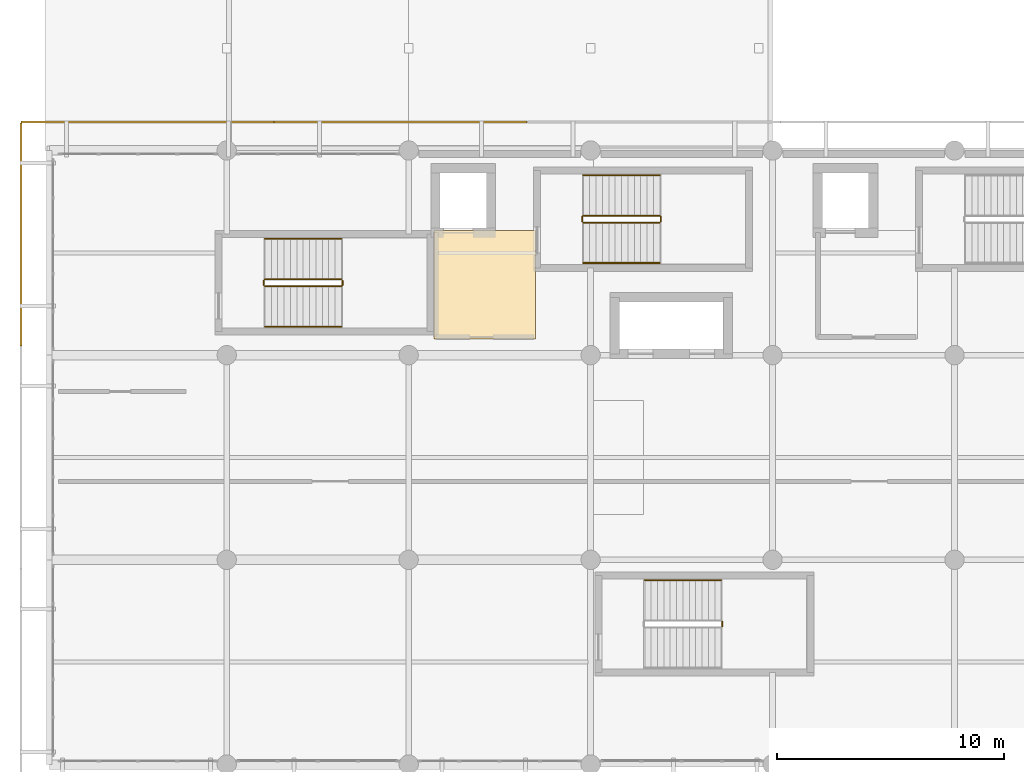
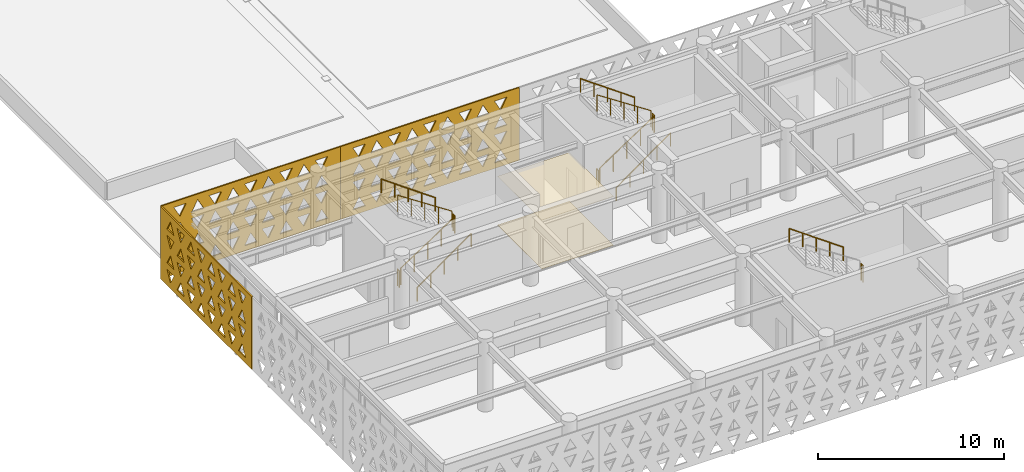
# One storey, part 44 of 54: 14 railings, 5 coverings.
"""IFC4 building model written with IfcOpenShell, lengths in metres."""

from ifc_helpers import new_model, si_unit, direction, frame, origin, origin_2d, place, context, subcontext, project, spatial, polyline, circle, outline, extrude, material, layer, layer_set, type_object, element, save


model = new_model("IFC4")

# Units and contexts
model_context = context("Model", 3, precision=1e-05, world=origin(), true_north=direction((0.0, 1.0)))
body_context = subcontext(model_context, "Body", "Model", "MODEL_VIEW")
ifc_project = project(units=[si_unit("LENGTHUNIT", "METRE"), si_unit("AREAUNIT", "SQUARE_METRE"), si_unit("VOLUMEUNIT", "CUBIC_METRE"), si_unit("PLANEANGLEUNIT", "RADIAN"), si_unit("MASSUNIT", "GRAM", prefix="KILO")], contexts=[model_context])

# Site, building, storey
site_placement = place(None, origin())
site = spatial("IfcSite", under=ifc_project, at=site_placement, CompositionType="ELEMENT")
building_placement = place(site_placement, origin())
building = spatial("IfcBuilding", under=site, at=building_placement, Name="Tlacozan Convention Centre", CompositionType="ELEMENT")
storey_placement = place(building_placement, frame((0.0, 0.0, 11.39990234375)))
storey = spatial("IfcBuildingStorey", under=building, at=storey_placement, Name="L02", CompositionType="ELEMENT", Elevation=11.39990234375)

# Coverings
ifc_material_1 = material(Name="Perforated Acoustic Mineral Fibre Ceiling")
ifc_layer_1 = layer(ifc_material_1, 0.02490234375)
ifc_layer_set_1 = layer_set([ifc_layer_1], Name="Perforated Acoustic Mineral Fibre Ceiling")
covering_type_1 = type_object("IfcCoveringType", Name="Acoustic Mineral Fibre Ceiling 25", PredefinedType="CEILING", material=ifc_layer_set_1)
covering_1_placement = place(storey_placement, frame((0.0, 0.0, 3.2001953125)))
element("IfcCovering", 1, at=covering_1_placement, inside=storey, type_object=covering_type_1, Name="L02 Acoustic Ceiling L02-FFL-1", PredefinedType="CEILING", context=body_context, shape_type="SweptSolid", body=[
    extrude(outline(polyline([(17.1201171875, 18.719970703125), (21.580078125, 18.719970703125), (21.580078125, 23.47998046875), (17.1201171875, 23.47998046875), (17.1201171875, 18.719970703125)])), origin(), (0.0, 0.0, 1.0), 0.02490234375),
])
ifc_material_2 = material(Name="Polished Basalt Terrazzo Flooring", Category="masonry")
ifc_layer_2 = layer(ifc_material_2, 0.02001953125)
ifc_layer_set_2 = layer_set([ifc_layer_2], Name="Polished Basalt Terrazzo Flooring")
covering_type_2 = type_object("IfcCoveringType", Name="Polished Basalt Terrazzo Flooring 20", PredefinedType="FLOORING", material=ifc_layer_set_2)
covering_2_placement = place(storey_placement, origin())
element("IfcCovering", 2, at=covering_2_placement, inside=storey, type_object=covering_type_2, Name="L02 Terrazzo Flooring L02-FFL-1", PredefinedType="FLOORING", context=body_context, shape_type="SweptSolid", body=[
    extrude(outline(polyline([(17.1201171875, 18.719970703125), (21.580078125, 18.719970703125), (21.580078125, 23.47998046875), (17.1201171875, 23.47998046875), (17.1201171875, 18.719970703125)])), origin(), (0.0, 0.0, 1.0), 0.02001953125),
])

# Railings
ifc_material_3 = material(Name="Architectural Painted Galvanised Steel Railing", Category="steel")
railing_type_1 = type_object("IfcRailingType", Name="Stair Wall Handrail 900", PredefinedType="HANDRAIL", material=ifc_material_3)
railing_1_placement = place(storey_placement, frame((23.679931640625, 22.050048828125, 0.184814453125)))
element("IfcRailing", 3, at=railing_1_placement, inside=storey, type_object=railing_type_1, Name="L02 ST-01 stair handrail 1", PredefinedType="HANDRAIL", context=body_context, shape_type="SweptSolid", body=[
    extrude(circle(Radius=0.02392578125, at=origin_2d()), frame((0.0, 0.0, 0.8759765625), z_axis=(0.813753445783, 0.0, 0.581210228297), x_axis=(0.0, 1.0, 0.0)), (0.0, 0.0, 1.0), 4.129150390625),
    extrude(circle(Radius=0.02099609375, at=origin_2d()), origin(), (0.0, 0.0, 1.0), 0.851806640625),
    extrude(circle(Radius=0.02099609375, at=origin_2d()), frame((0.840087890625, 0.0, 0.60009765625)), (0.0, 0.0, 1.0), 0.851806640625),
    extrude(circle(Radius=0.02099609375, at=origin_2d()), frame((1.68017578125, 0.0, 1.199951171875)), (0.0, 0.0, 1.0), 0.851806640625),
    extrude(circle(Radius=0.02099609375, at=origin_2d()), frame((2.52001953125, 0.0, 1.7998046875)), (0.0, 0.0, 1.0), 0.851806640625),
    extrude(circle(Radius=0.02099609375, at=origin_2d()), frame((3.360107421875, 0.0, 2.39990234375)), (0.0, 0.0, 1.0), 0.851806640625),
])
railing_2_placement = place(storey_placement, frame((27.0400390625, 25.909912109375, 2.584716796875)))
element("IfcRailing", 4, at=railing_2_placement, inside=storey, type_object=railing_type_1, Name="L02 ST-01 stair handrail 2", PredefinedType="HANDRAIL", context=body_context, shape_type="SweptSolid", body=[
    extrude(circle(Radius=0.02392578125, at=origin_2d()), frame((0.0, 0.0, 0.8759765625), z_axis=(-0.813753445783, 0.0, 0.581210228297), x_axis=(0.0, -1.0, 0.0)), (0.0, 0.0, 1.0), 4.129150390625),
    extrude(circle(Radius=0.02099609375, at=origin_2d()), origin(), (0.0, 0.0, 1.0), 0.851806640625),
    extrude(circle(Radius=0.02099609375, at=origin_2d()), frame((-0.840087890625, 0.0, 0.60009765625)), (0.0, 0.0, 1.0), 0.851806640625),
    extrude(circle(Radius=0.02099609375, at=origin_2d()), frame((-1.68017578125, 0.0, 1.199951171875)), (0.0, 0.0, 1.0), 0.851806640625),
    extrude(circle(Radius=0.02099609375, at=origin_2d()), frame((-2.52001953125, 0.0, 1.7998046875)), (0.0, 0.0, 1.0), 0.851806640625),
    extrude(circle(Radius=0.02099609375, at=origin_2d()), frame((-3.360107421875, 0.0, 2.39990234375)), (0.0, 0.0, 1.0), 0.851806640625),
])
railing_3_placement = place(storey_placement, frame((9.679931640625, 19.25, 0.184814453125)))
element("IfcRailing", 5, at=railing_3_placement, inside=storey, type_object=railing_type_1, Name="L02 ST-13 stair handrail 1", PredefinedType="HANDRAIL", context=body_context, shape_type="SweptSolid", body=[
    extrude(circle(Radius=0.02392578125, at=origin_2d()), frame((0.0, 0.0, 0.8759765625), z_axis=(0.813753445783, 0.0, 0.581210228297), x_axis=(0.0, 1.0, 0.0)), (0.0, 0.0, 1.0), 4.129150390625),
    extrude(circle(Radius=0.02099609375, at=origin_2d()), origin(), (0.0, 0.0, 1.0), 0.851806640625),
    extrude(circle(Radius=0.02099609375, at=origin_2d()), frame((0.840087890625, 0.0, 0.60009765625)), (0.0, 0.0, 1.0), 0.851806640625),
    extrude(circle(Radius=0.02099609375, at=origin_2d()), frame((1.68017578125, 0.0, 1.199951171875)), (0.0, 0.0, 1.0), 0.851806640625),
    extrude(circle(Radius=0.02099609375, at=origin_2d()), frame((2.52001953125, 0.0, 1.7998046875)), (0.0, 0.0, 1.0), 0.851806640625),
    extrude(circle(Radius=0.02099609375, at=origin_2d()), frame((3.360107421875, 0.0, 2.39990234375)), (0.0, 0.0, 1.0), 0.851806640625),
])
for number, where, name in (
    (6, (13.0400390625, 23.110107421875, 2.584716796875), "L02 ST-13 stair handrail 2"),
    (7, (29.739990234375, 8.110107421875, 2.584716796875), "L02 ST-16 stair handrail 2"),
):
    element("IfcRailing", number, at=place(storey_placement, frame(where)), inside=storey, type_object=railing_type_1, Name=name, PredefinedType="HANDRAIL", context=body_context, shape_type="SweptSolid", body=[
        extrude(circle(Radius=0.02392578125, at=origin_2d()), frame((0.0, 0.0, 0.8759765625), z_axis=(-0.813753445783, 0.0, 0.581210228297), x_axis=(0.0, -1.0, 0.0)), (0.0, 0.0, 1.0), 4.129150390625),
        extrude(circle(Radius=0.02099609375, at=origin_2d()), origin(), (0.0, 0.0, 1.0), 0.851806640625),
        extrude(circle(Radius=0.02099609375, at=origin_2d()), frame((-0.840087890625, 0.0, 0.60009765625)), (0.0, 0.0, 1.0), 0.851806640625),
        extrude(circle(Radius=0.02099609375, at=origin_2d()), frame((-1.68017578125, 0.0, 1.199951171875)), (0.0, 0.0, 1.0), 0.851806640625),
        extrude(circle(Radius=0.02099609375, at=origin_2d()), frame((-2.52001953125, 0.0, 1.7998046875)), (0.0, 0.0, 1.0), 0.851806640625),
        extrude(circle(Radius=0.02099609375, at=origin_2d()), frame((-3.360107421875, 0.0, 2.39990234375)), (0.0, 0.0, 1.0), 0.851806640625),
    ])
railing_type_2 = type_object("IfcRailingType", Name="Stair Well Guardrail 1100", PredefinedType="GUARDRAIL", material=ifc_material_3)
railing_4_placement = place(storey_placement, frame((23.679931640625, 23.830078125, 0.184814453125)))
element("IfcRailing", 8, at=railing_4_placement, inside=storey, type_object=railing_type_2, Name="L02 ST-01 stair guard 1", PredefinedType="GUARDRAIL", context=body_context, shape_type="SweptSolid", body=[
    extrude(circle(Radius=0.02392578125, at=origin_2d()), frame((0.0, 0.0, 1.076171875), z_axis=(0.834876476806, 0.0, 0.550437342915), x_axis=(0.0, 1.0, 0.0)), (0.0, 0.0, 1.0), 4.024658203125),
    extrude(circle(Radius=0.02099609375, at=origin_2d()), origin(), (0.0, 0.0, 1.0), 1.052001953125),
    extrude(circle(Radius=0.02099609375, at=origin_2d()), frame((0.840087890625, 0.0, 0.5537109375)), (0.0, 0.0, 1.0), 1.052001953125),
    extrude(circle(Radius=0.02099609375, at=origin_2d()), frame((1.68017578125, 0.0, 1.107666015625)), (0.0, 0.0, 1.0), 1.052001953125),
    extrude(circle(Radius=0.02099609375, at=origin_2d()), frame((2.52001953125, 0.0, 1.66162109375)), (0.0, 0.0, 1.0), 1.052001953125),
    extrude(circle(Radius=0.02099609375, at=origin_2d()), frame((3.360107421875, 0.0, 2.21533203125)), (0.0, 0.0, 1.0), 1.052001953125),
])
railing_5_placement = place(storey_placement, frame((27.090087890625, 23.8798828125, 2.400146484375)))
element("IfcRailing", 9, at=railing_5_placement, inside=storey, type_object=railing_type_2, Name="L02 ST-01 stair guard 2", PredefinedType="GUARDRAIL", context=body_context, shape_type="SweptSolid", body=[
    extrude(circle(Radius=0.02392578125, at=origin_2d()), frame((0.0, 0.0, 1.076171875), z_axis=(0.0, 1.0, 0.0), x_axis=(-1.0, 0.0, 0.0)), (0.0, 0.0, 1.0), 0.2001953125),
    extrude(circle(Radius=0.02099609375, at=origin_2d()), origin(), (0.0, 0.0, 1.0), 1.052001953125),
    extrude(circle(Radius=0.02099609375, at=origin_2d()), frame((0.0, 0.2001953125, 0.0)), (0.0, 0.0, 1.0), 1.052001953125),
])
railing_6_placement = place(storey_placement, frame((27.0400390625, 24.1298828125, 2.584716796875)))
element("IfcRailing", 10, at=railing_6_placement, inside=storey, type_object=railing_type_2, Name="L02 ST-01 stair guard 3", PredefinedType="GUARDRAIL", context=body_context, shape_type="SweptSolid", body=[
    extrude(circle(Radius=0.02392578125, at=origin_2d()), frame((0.0, 0.0, 1.076171875), z_axis=(-0.834876476806, 0.0, 0.550437342915), x_axis=(0.0, -1.0, 0.0)), (0.0, 0.0, 1.0), 4.024658203125),
    extrude(circle(Radius=0.02099609375, at=origin_2d()), origin(), (0.0, 0.0, 1.0), 1.052001953125),
    extrude(circle(Radius=0.02099609375, at=origin_2d()), frame((-0.840087890625, 0.0, 0.5537109375)), (0.0, 0.0, 1.0), 1.052001953125),
    extrude(circle(Radius=0.02099609375, at=origin_2d()), frame((-1.68017578125, 0.0, 1.107666015625)), (0.0, 0.0, 1.0), 1.052001953125),
    extrude(circle(Radius=0.02099609375, at=origin_2d()), frame((-2.52001953125, 0.0, 1.66162109375)), (0.0, 0.0, 1.0), 1.052001953125),
    extrude(circle(Radius=0.02099609375, at=origin_2d()), frame((-3.360107421875, 0.0, 2.21533203125)), (0.0, 0.0, 1.0), 1.052001953125),
])
railing_7_placement = place(storey_placement, frame((23.6298828125, 23.8798828125, 0.0)))
element("IfcRailing", 11, at=railing_7_placement, inside=storey, type_object=railing_type_2, Name="L02 ST-01 stair guard 4", PredefinedType="GUARDRAIL", context=body_context, shape_type="SweptSolid", body=[
    extrude(circle(Radius=0.02392578125, at=origin_2d()), frame((0.0, 0.0, 1.076171875), z_axis=(0.0, 1.0, 0.0), x_axis=(-1.0, 0.0, 0.0)), (0.0, 0.0, 1.0), 0.2001953125),
    extrude(circle(Radius=0.02099609375, at=origin_2d()), origin(), (0.0, 0.0, 1.0), 1.052001953125),
    extrude(circle(Radius=0.02099609375, at=origin_2d()), frame((0.0, 0.2001953125, 0.0)), (0.0, 0.0, 1.0), 1.052001953125),
])
railing_8_placement = place(storey_placement, frame((9.679931640625, 21.030029296875, 0.184814453125)))
element("IfcRailing", 12, at=railing_8_placement, inside=storey, type_object=railing_type_2, Name="L02 ST-13 stair guard 1", PredefinedType="GUARDRAIL", context=body_context, shape_type="SweptSolid", body=[
    extrude(circle(Radius=0.02392578125, at=origin_2d()), frame((0.0, 0.0, 1.076171875), z_axis=(0.834876476806, 0.0, 0.550437342915), x_axis=(0.0, 1.0, 0.0)), (0.0, 0.0, 1.0), 4.024658203125),
    extrude(circle(Radius=0.02099609375, at=origin_2d()), origin(), (0.0, 0.0, 1.0), 1.052001953125),
    extrude(circle(Radius=0.02099609375, at=origin_2d()), frame((0.840087890625, 0.0, 0.5537109375)), (0.0, 0.0, 1.0), 1.052001953125),
    extrude(circle(Radius=0.02099609375, at=origin_2d()), frame((1.68017578125, 0.0, 1.107666015625)), (0.0, 0.0, 1.0), 1.052001953125),
    extrude(circle(Radius=0.02099609375, at=origin_2d()), frame((2.52001953125, 0.0, 1.66162109375)), (0.0, 0.0, 1.0), 1.052001953125),
    extrude(circle(Radius=0.02099609375, at=origin_2d()), frame((3.360107421875, 0.0, 2.21533203125)), (0.0, 0.0, 1.0), 1.052001953125),
])
railing_9_placement = place(storey_placement, frame((13.090087890625, 21.080078125, 2.400146484375)))
element("IfcRailing", 13, at=railing_9_placement, inside=storey, type_object=railing_type_2, Name="L02 ST-13 stair guard 2", PredefinedType="GUARDRAIL", context=body_context, shape_type="SweptSolid", body=[
    extrude(circle(Radius=0.02392578125, at=origin_2d()), frame((0.0, 0.0, 1.076171875), z_axis=(0.0, 1.0, 0.0), x_axis=(-1.0, 0.0, 0.0)), (0.0, 0.0, 1.0), 0.199951171875),
    extrude(circle(Radius=0.02099609375, at=origin_2d()), origin(), (0.0, 0.0, 1.0), 1.052001953125),
    extrude(circle(Radius=0.02099609375, at=origin_2d()), frame((0.0, 0.199951171875, 0.0)), (0.0, 0.0, 1.0), 1.052001953125),
])
railing_10_placement = place(storey_placement, frame((13.0400390625, 21.330078125, 2.584716796875)))
element("IfcRailing", 14, at=railing_10_placement, inside=storey, type_object=railing_type_2, Name="L02 ST-13 stair guard 3", PredefinedType="GUARDRAIL", context=body_context, shape_type="SweptSolid", body=[
    extrude(circle(Radius=0.02392578125, at=origin_2d()), frame((0.0, 0.0, 1.076171875), z_axis=(-0.834876476806, 0.0, 0.550437342915), x_axis=(0.0, -1.0, 0.0)), (0.0, 0.0, 1.0), 4.024658203125),
    extrude(circle(Radius=0.02099609375, at=origin_2d()), origin(), (0.0, 0.0, 1.0), 1.052001953125),
    extrude(circle(Radius=0.02099609375, at=origin_2d()), frame((-0.840087890625, 0.0, 0.5537109375)), (0.0, 0.0, 1.0), 1.052001953125),
    extrude(circle(Radius=0.02099609375, at=origin_2d()), frame((-1.68017578125, 0.0, 1.107666015625)), (0.0, 0.0, 1.0), 1.052001953125),
    extrude(circle(Radius=0.02099609375, at=origin_2d()), frame((-2.52001953125, 0.0, 1.66162109375)), (0.0, 0.0, 1.0), 1.052001953125),
    extrude(circle(Radius=0.02099609375, at=origin_2d()), frame((-3.360107421875, 0.0, 2.21533203125)), (0.0, 0.0, 1.0), 1.052001953125),
])
for number, where, name in (
    (15, (9.6298828125, 21.080078125, 0.0), "L02 ST-13 stair guard 4"),
    (16, (29.7900390625, 6.080078125, 2.400146484375), "L02 ST-16 stair guard 2"),
):
    element("IfcRailing", number, at=place(storey_placement, frame(where)), inside=storey, type_object=railing_type_2, Name=name, PredefinedType="GUARDRAIL", context=body_context, shape_type="SweptSolid", body=[
        extrude(circle(Radius=0.02392578125, at=origin_2d()), frame((0.0, 0.0, 1.076171875), z_axis=(0.0, 1.0, 0.0), x_axis=(-1.0, 0.0, 0.0)), (0.0, 0.0, 1.0), 0.199951171875),
        extrude(circle(Radius=0.02099609375, at=origin_2d()), origin(), (0.0, 0.0, 1.0), 1.052001953125),
        extrude(circle(Radius=0.02099609375, at=origin_2d()), frame((0.0, 0.199951171875, 0.0)), (0.0, 0.0, 1.0), 1.052001953125),
    ])

# Coverings
ifc_material_4 = material(Name="Toluca Fired Terracotta Masonry Solar Screen", Category="masonry")
ifc_layer_3 = layer(ifc_material_4, 0.080078125)
ifc_layer_set_3 = layer_set([ifc_layer_3], Name="Toluca Fired Terracotta Masonry Solar Screen")
covering_type_3 = type_object("IfcCoveringType", Name="Terracotta Triangle Solar Screen 80", PredefinedType="USERDEFINED", material=ifc_layer_set_3)
covering_3_placement = place(storey_placement, frame((-1.050048828125, 18.404296875, -0.02978515625), z_axis=(0.0, 0.0, 1.0), x_axis=(0.0, 1.0, 0.0)))
element("IfcCovering", 17, at=covering_3_placement, inside=storey, type_object=covering_type_3, Name="L02 Terracotta Triangle Screen 39", ObjectType="SCREEN", PredefinedType="USERDEFINED", context=body_context, shape_type="SweptSolid", body=[
    extrude(outline(polyline([(0.0, 0.0), (9.80078125, 0.0), (9.80078125, 4.77978515625), (0.0, 4.77978515625), (0.0, 0.0)]), holes=[polyline([(0.664306640625, 0.360107421875), (1.4365234375, 0.360107421875), (1.05029296875, 1.074951171875), (0.664306640625, 0.360107421875)]), polyline([(1.764404296875, 1.074951171875), (2.536376953125, 1.074951171875), (2.150390625, 0.360107421875), (1.764404296875, 1.074951171875)]), polyline([(2.8642578125, 0.360107421875), (3.636474609375, 0.360107421875), (3.25048828125, 1.074951171875), (2.8642578125, 0.360107421875)]), polyline([(3.96435546875, 1.074951171875), (4.736328125, 1.074951171875), (4.350341796875, 0.360107421875), (3.96435546875, 1.074951171875)]), polyline([(5.064453125, 0.360107421875), (5.83642578125, 0.360107421875), (5.450439453125, 1.074951171875), (5.064453125, 0.360107421875)]), polyline([(6.164306640625, 1.074951171875), (6.9365234375, 1.074951171875), (6.55029296875, 0.360107421875), (6.164306640625, 1.074951171875)]), polyline([(7.264404296875, 0.360107421875), (8.036376953125, 0.360107421875), (7.650390625, 1.074951171875), (7.264404296875, 0.360107421875)]), polyline([(8.3642578125, 1.074951171875), (9.136474609375, 1.074951171875), (8.75048828125, 0.360107421875), (8.3642578125, 1.074951171875)]), polyline([(0.664306640625, 2.18994140625), (1.4365234375, 2.18994140625), (1.05029296875, 1.47509765625), (0.664306640625, 2.18994140625)]), polyline([(1.764404296875, 1.47509765625), (2.536376953125, 1.47509765625), (2.150390625, 2.18994140625), (1.764404296875, 1.47509765625)]), polyline([(2.8642578125, 2.18994140625), (3.636474609375, 2.18994140625), (3.25048828125, 1.47509765625), (2.8642578125, 2.18994140625)]), polyline([(3.96435546875, 1.47509765625), (4.736328125, 1.47509765625), (4.350341796875, 2.18994140625), (3.96435546875, 1.47509765625)]), polyline([(5.064453125, 2.18994140625), (5.83642578125, 2.18994140625), (5.450439453125, 1.47509765625), (5.064453125, 2.18994140625)]), polyline([(6.164306640625, 1.47509765625), (6.9365234375, 1.47509765625), (6.55029296875, 2.18994140625), (6.164306640625, 1.47509765625)]), polyline([(7.264404296875, 2.18994140625), (8.036376953125, 2.18994140625), (7.650390625, 1.47509765625), (7.264404296875, 2.18994140625)]), polyline([(8.3642578125, 1.47509765625), (9.136474609375, 1.47509765625), (8.75048828125, 2.18994140625), (8.3642578125, 1.47509765625)]), polyline([(0.664306640625, 2.58984375), (1.4365234375, 2.58984375), (1.05029296875, 3.3046875), (0.664306640625, 2.58984375)]), polyline([(1.764404296875, 3.3046875), (2.536376953125, 3.3046875), (2.150390625, 2.58984375), (1.764404296875, 3.3046875)]), polyline([(2.8642578125, 2.58984375), (3.636474609375, 2.58984375), (3.25048828125, 3.3046875), (2.8642578125, 2.58984375)]), polyline([(3.96435546875, 3.3046875), (4.736328125, 3.3046875), (4.350341796875, 2.58984375), (3.96435546875, 3.3046875)]), polyline([(5.064453125, 2.58984375), (5.83642578125, 2.58984375), (5.450439453125, 3.3046875), (5.064453125, 2.58984375)]), polyline([(6.164306640625, 3.3046875), (6.9365234375, 3.3046875), (6.55029296875, 2.58984375), (6.164306640625, 3.3046875)]), polyline([(7.264404296875, 2.58984375), (8.036376953125, 2.58984375), (7.650390625, 3.3046875), (7.264404296875, 2.58984375)]), polyline([(8.3642578125, 3.3046875), (9.136474609375, 3.3046875), (8.75048828125, 2.58984375), (8.3642578125, 3.3046875)]), polyline([(0.664306640625, 4.419677734375), (1.4365234375, 4.419677734375), (1.05029296875, 3.704833984375), (0.664306640625, 4.419677734375)]), polyline([(1.764404296875, 3.704833984375), (2.536376953125, 3.704833984375), (2.150390625, 4.419677734375), (1.764404296875, 3.704833984375)]), polyline([(2.8642578125, 4.419677734375), (3.636474609375, 4.419677734375), (3.25048828125, 3.704833984375), (2.8642578125, 4.419677734375)]), polyline([(3.96435546875, 3.704833984375), (4.736328125, 3.704833984375), (4.350341796875, 4.419677734375), (3.96435546875, 3.704833984375)]), polyline([(5.064453125, 4.419677734375), (5.83642578125, 4.419677734375), (5.450439453125, 3.704833984375), (5.064453125, 4.419677734375)]), polyline([(6.164306640625, 3.704833984375), (6.9365234375, 3.704833984375), (6.55029296875, 4.419677734375), (6.164306640625, 3.704833984375)]), polyline([(7.264404296875, 4.419677734375), (8.036376953125, 4.419677734375), (7.650390625, 3.704833984375), (7.264404296875, 4.419677734375)]), polyline([(8.3642578125, 3.704833984375), (9.136474609375, 3.704833984375), (8.75048828125, 4.419677734375), (8.3642578125, 3.704833984375)])]), frame((0.0, 0.0400390625, 0.0), z_axis=(0.0, -1.0, 0.0), x_axis=(1.0, 0.0, 0.0)), (0.0, 0.0, 1.0), 0.080078125),
])
covering_4_placement = place(storey_placement, frame((-1.048095703125, 28.25, -0.02978515625), z_axis=(0.0, 0.0, 1.0), x_axis=(1.0, 0.0, 0.0)))
element("IfcCovering", 18, at=covering_4_placement, inside=storey, type_object=covering_type_3, Name="L02 Terracotta Triangle Screen 43", ObjectType="SCREEN", PredefinedType="USERDEFINED", context=body_context, shape_type="SweptSolid", body=[
    extrude(outline(polyline([(0.0, 0.0), (11.127197265625, 0.0), (11.127197265625, 4.77978515625), (0.0, 4.77978515625), (0.0, 0.0)]), holes=[polyline([(0.777587890625, 0.360107421875), (1.549560546875, 0.360107421875), (1.16357421875, 1.074951171875), (0.777587890625, 0.360107421875)]), polyline([(1.877685546875, 1.074951171875), (2.649658203125, 1.074951171875), (2.263671875, 0.360107421875), (1.877685546875, 1.074951171875)]), polyline([(2.9775390625, 0.360107421875), (3.74951171875, 0.360107421875), (3.363525390625, 1.074951171875), (2.9775390625, 0.360107421875)]), polyline([(4.07763671875, 1.074951171875), (4.849609375, 1.074951171875), (4.463623046875, 0.360107421875), (4.07763671875, 1.074951171875)]), polyline([(5.177490234375, 0.360107421875), (5.94970703125, 0.360107421875), (5.5634765625, 1.074951171875), (5.177490234375, 0.360107421875)]), polyline([(6.277587890625, 1.074951171875), (7.049560546875, 1.074951171875), (6.66357421875, 0.360107421875), (6.277587890625, 1.074951171875)]), polyline([(7.377685546875, 0.360107421875), (8.149658203125, 0.360107421875), (7.763671875, 1.074951171875), (7.377685546875, 0.360107421875)]), polyline([(8.4775390625, 1.074951171875), (9.24951171875, 1.074951171875), (8.863525390625, 0.360107421875), (8.4775390625, 1.074951171875)]), polyline([(9.57763671875, 0.360107421875), (10.349609375, 0.360107421875), (9.963623046875, 1.074951171875), (9.57763671875, 0.360107421875)]), polyline([(0.777587890625, 2.18994140625), (1.549560546875, 2.18994140625), (1.16357421875, 1.47509765625), (0.777587890625, 2.18994140625)]), polyline([(1.877685546875, 1.47509765625), (2.649658203125, 1.47509765625), (2.263671875, 2.18994140625), (1.877685546875, 1.47509765625)]), polyline([(2.9775390625, 2.18994140625), (3.74951171875, 2.18994140625), (3.363525390625, 1.47509765625), (2.9775390625, 2.18994140625)]), polyline([(4.07763671875, 1.47509765625), (4.849609375, 1.47509765625), (4.463623046875, 2.18994140625), (4.07763671875, 1.47509765625)]), polyline([(5.177490234375, 2.18994140625), (5.94970703125, 2.18994140625), (5.5634765625, 1.47509765625), (5.177490234375, 2.18994140625)]), polyline([(6.277587890625, 1.47509765625), (7.049560546875, 1.47509765625), (6.66357421875, 2.18994140625), (6.277587890625, 1.47509765625)]), polyline([(7.377685546875, 2.18994140625), (8.149658203125, 2.18994140625), (7.763671875, 1.47509765625), (7.377685546875, 2.18994140625)]), polyline([(8.4775390625, 1.47509765625), (9.24951171875, 1.47509765625), (8.863525390625, 2.18994140625), (8.4775390625, 1.47509765625)]), polyline([(9.57763671875, 2.18994140625), (10.349609375, 2.18994140625), (9.963623046875, 1.47509765625), (9.57763671875, 2.18994140625)]), polyline([(0.777587890625, 2.58984375), (1.549560546875, 2.58984375), (1.16357421875, 3.3046875), (0.777587890625, 2.58984375)]), polyline([(1.877685546875, 3.3046875), (2.649658203125, 3.3046875), (2.263671875, 2.58984375), (1.877685546875, 3.3046875)]), polyline([(2.9775390625, 2.58984375), (3.74951171875, 2.58984375), (3.363525390625, 3.3046875), (2.9775390625, 2.58984375)]), polyline([(4.07763671875, 3.3046875), (4.849609375, 3.3046875), (4.463623046875, 2.58984375), (4.07763671875, 3.3046875)]), polyline([(5.177490234375, 2.58984375), (5.94970703125, 2.58984375), (5.5634765625, 3.3046875), (5.177490234375, 2.58984375)]), polyline([(6.277587890625, 3.3046875), (7.049560546875, 3.3046875), (6.66357421875, 2.58984375), (6.277587890625, 3.3046875)]), polyline([(7.377685546875, 2.58984375), (8.149658203125, 2.58984375), (7.763671875, 3.3046875), (7.377685546875, 2.58984375)]), polyline([(8.4775390625, 3.3046875), (9.24951171875, 3.3046875), (8.863525390625, 2.58984375), (8.4775390625, 3.3046875)]), polyline([(9.57763671875, 2.58984375), (10.349609375, 2.58984375), (9.963623046875, 3.3046875), (9.57763671875, 2.58984375)]), polyline([(0.777587890625, 4.419677734375), (1.549560546875, 4.419677734375), (1.16357421875, 3.704833984375), (0.777587890625, 4.419677734375)]), polyline([(1.877685546875, 3.704833984375), (2.649658203125, 3.704833984375), (2.263671875, 4.419677734375), (1.877685546875, 3.704833984375)]), polyline([(2.9775390625, 4.419677734375), (3.74951171875, 4.419677734375), (3.363525390625, 3.704833984375), (2.9775390625, 4.419677734375)]), polyline([(4.07763671875, 3.704833984375), (4.849609375, 3.704833984375), (4.463623046875, 4.419677734375), (4.07763671875, 3.704833984375)]), polyline([(5.177490234375, 4.419677734375), (5.94970703125, 4.419677734375), (5.5634765625, 3.704833984375), (5.177490234375, 4.419677734375)]), polyline([(6.277587890625, 3.704833984375), (7.049560546875, 3.704833984375), (6.66357421875, 4.419677734375), (6.277587890625, 3.704833984375)]), polyline([(7.377685546875, 4.419677734375), (8.149658203125, 4.419677734375), (7.763671875, 3.704833984375), (7.377685546875, 4.419677734375)]), polyline([(8.4775390625, 3.704833984375), (9.24951171875, 3.704833984375), (8.863525390625, 4.419677734375), (8.4775390625, 3.704833984375)]), polyline([(9.57763671875, 4.419677734375), (10.349609375, 4.419677734375), (9.963623046875, 3.704833984375), (9.57763671875, 4.419677734375)])]), frame((0.0, 0.0400390625, 0.0), z_axis=(0.0, -1.0, 0.0), x_axis=(1.0, 0.0, 0.0)), (0.0, 0.0, 1.0), 0.080078125),
])
covering_5_placement = place(storey_placement, frame((10.083251953125, 28.25, -0.02978515625), z_axis=(0.0, 0.0, 1.0), x_axis=(1.0, 0.0, 0.0)))
element("IfcCovering", 19, at=covering_5_placement, inside=storey, type_object=covering_type_3, Name="L02 Terracotta Triangle Screen 44", ObjectType="SCREEN", PredefinedType="USERDEFINED", context=body_context, shape_type="SweptSolid", body=[
    extrude(outline(polyline([(0.0, 0.0), (11.127197265625, 0.0), (11.127197265625, 4.77978515625), (0.0, 4.77978515625), (0.0, 0.0)]), holes=[polyline([(0.777587890625, 0.360107421875), (1.549560546875, 0.360107421875), (1.16357421875, 1.074951171875), (0.777587890625, 0.360107421875)]), polyline([(1.877685546875, 1.074951171875), (2.649658203125, 1.074951171875), (2.263671875, 0.360107421875), (1.877685546875, 1.074951171875)]), polyline([(2.9775390625, 0.360107421875), (3.74951171875, 0.360107421875), (3.363525390625, 1.074951171875), (2.9775390625, 0.360107421875)]), polyline([(4.07763671875, 1.074951171875), (4.849609375, 1.074951171875), (4.463623046875, 0.360107421875), (4.07763671875, 1.074951171875)]), polyline([(5.177490234375, 0.360107421875), (5.94970703125, 0.360107421875), (5.5634765625, 1.074951171875), (5.177490234375, 0.360107421875)]), polyline([(6.277587890625, 1.074951171875), (7.049560546875, 1.074951171875), (6.66357421875, 0.360107421875), (6.277587890625, 1.074951171875)]), polyline([(7.377685546875, 0.360107421875), (8.149658203125, 0.360107421875), (7.763671875, 1.074951171875), (7.377685546875, 0.360107421875)]), polyline([(8.4775390625, 1.074951171875), (9.24951171875, 1.074951171875), (8.863525390625, 0.360107421875), (8.4775390625, 1.074951171875)]), polyline([(9.57763671875, 0.360107421875), (10.349609375, 0.360107421875), (9.963623046875, 1.074951171875), (9.57763671875, 0.360107421875)]), polyline([(0.777587890625, 2.18994140625), (1.549560546875, 2.18994140625), (1.16357421875, 1.47509765625), (0.777587890625, 2.18994140625)]), polyline([(1.877685546875, 1.47509765625), (2.649658203125, 1.47509765625), (2.263671875, 2.18994140625), (1.877685546875, 1.47509765625)]), polyline([(2.9775390625, 2.18994140625), (3.74951171875, 2.18994140625), (3.363525390625, 1.47509765625), (2.9775390625, 2.18994140625)]), polyline([(4.07763671875, 1.47509765625), (4.849609375, 1.47509765625), (4.463623046875, 2.18994140625), (4.07763671875, 1.47509765625)]), polyline([(5.177490234375, 2.18994140625), (5.94970703125, 2.18994140625), (5.5634765625, 1.47509765625), (5.177490234375, 2.18994140625)]), polyline([(6.277587890625, 1.47509765625), (7.049560546875, 1.47509765625), (6.66357421875, 2.18994140625), (6.277587890625, 1.47509765625)]), polyline([(7.377685546875, 2.18994140625), (8.149658203125, 2.18994140625), (7.763671875, 1.47509765625), (7.377685546875, 2.18994140625)]), polyline([(8.4775390625, 1.47509765625), (9.24951171875, 1.47509765625), (8.863525390625, 2.18994140625), (8.4775390625, 1.47509765625)]), polyline([(9.57763671875, 2.18994140625), (10.349609375, 2.18994140625), (9.963623046875, 1.47509765625), (9.57763671875, 2.18994140625)]), polyline([(0.777587890625, 2.58984375), (1.549560546875, 2.58984375), (1.16357421875, 3.3046875), (0.777587890625, 2.58984375)]), polyline([(1.877685546875, 3.3046875), (2.649658203125, 3.3046875), (2.263671875, 2.58984375), (1.877685546875, 3.3046875)]), polyline([(2.9775390625, 2.58984375), (3.74951171875, 2.58984375), (3.363525390625, 3.3046875), (2.9775390625, 2.58984375)]), polyline([(4.07763671875, 3.3046875), (4.849609375, 3.3046875), (4.463623046875, 2.58984375), (4.07763671875, 3.3046875)]), polyline([(5.177490234375, 2.58984375), (5.94970703125, 2.58984375), (5.5634765625, 3.3046875), (5.177490234375, 2.58984375)]), polyline([(6.277587890625, 3.3046875), (7.049560546875, 3.3046875), (6.66357421875, 2.58984375), (6.277587890625, 3.3046875)]), polyline([(7.377685546875, 2.58984375), (8.149658203125, 2.58984375), (7.763671875, 3.3046875), (7.377685546875, 2.58984375)]), polyline([(8.4775390625, 3.3046875), (9.24951171875, 3.3046875), (8.863525390625, 2.58984375), (8.4775390625, 3.3046875)]), polyline([(9.57763671875, 2.58984375), (10.349609375, 2.58984375), (9.963623046875, 3.3046875), (9.57763671875, 2.58984375)]), polyline([(0.777587890625, 4.419677734375), (1.549560546875, 4.419677734375), (1.16357421875, 3.704833984375), (0.777587890625, 4.419677734375)]), polyline([(1.877685546875, 3.704833984375), (2.649658203125, 3.704833984375), (2.263671875, 4.419677734375), (1.877685546875, 3.704833984375)]), polyline([(2.9775390625, 4.419677734375), (3.74951171875, 4.419677734375), (3.363525390625, 3.704833984375), (2.9775390625, 4.419677734375)]), polyline([(4.07763671875, 3.704833984375), (4.849609375, 3.704833984375), (4.463623046875, 4.419677734375), (4.07763671875, 3.704833984375)]), polyline([(5.177490234375, 4.419677734375), (5.94970703125, 4.419677734375), (5.5634765625, 3.704833984375), (5.177490234375, 4.419677734375)]), polyline([(6.277587890625, 3.704833984375), (7.049560546875, 3.704833984375), (6.66357421875, 4.419677734375), (6.277587890625, 3.704833984375)]), polyline([(7.377685546875, 4.419677734375), (8.149658203125, 4.419677734375), (7.763671875, 3.704833984375), (7.377685546875, 4.419677734375)]), polyline([(8.4775390625, 3.704833984375), (9.24951171875, 3.704833984375), (8.863525390625, 4.419677734375), (8.4775390625, 3.704833984375)]), polyline([(9.57763671875, 4.419677734375), (10.349609375, 4.419677734375), (9.963623046875, 3.704833984375), (9.57763671875, 4.419677734375)])]), frame((0.0, 0.0400390625, 0.0), z_axis=(0.0, -1.0, 0.0), x_axis=(1.0, 0.0, 0.0)), (0.0, 0.0, 1.0), 0.080078125),
])

save(model, "model.ifc")
